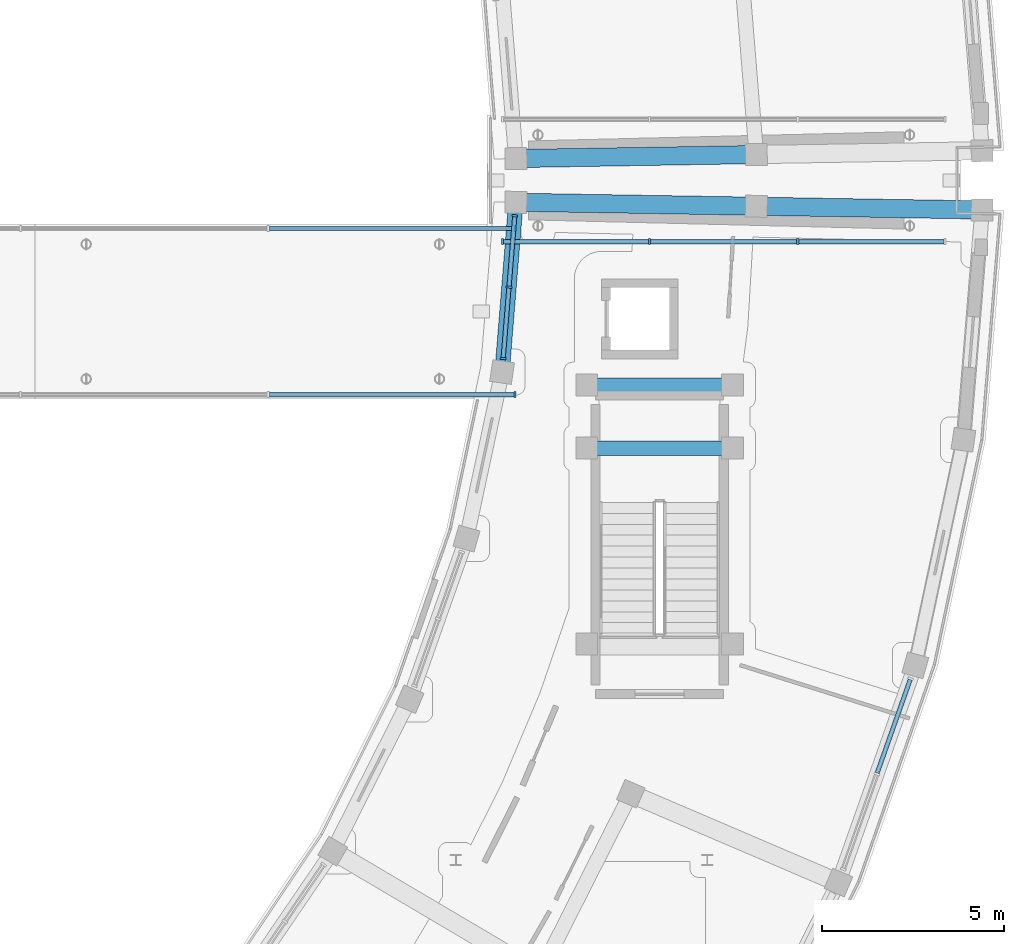
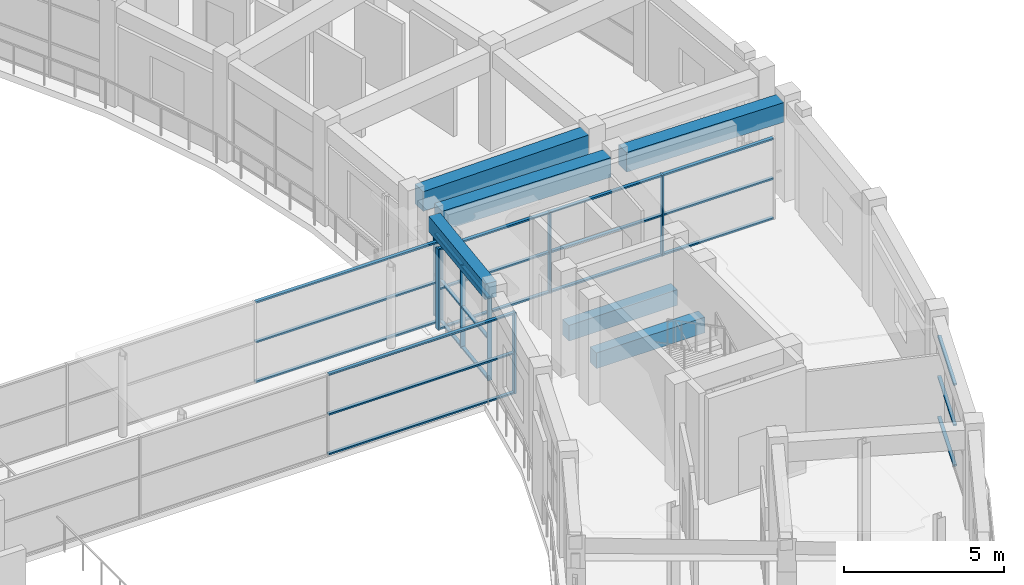
# One storey, part 19 of 53: 32 members, 6 beams, 5 elements without a shape of their own.
"""IFC4 building model written with IfcOpenShell, lengths in metres."""

from ifc_helpers import new_model, si_unit, direction, frame, origin, origin_2d, place, context, subcontext, project, spatial, rectangle, extrude, material, material_profile, profile_set, type_object, element, aggregate, save


model = new_model("IFC4")

# Units and contexts
model_context = context("Model", 3, precision=1e-05, world=origin(), true_north=direction((0.0, 1.0)))
body_context = subcontext(model_context, "Body", "Model", "MODEL_VIEW")
ifc_project = project(units=[si_unit("LENGTHUNIT", "METRE"), si_unit("AREAUNIT", "SQUARE_METRE"), si_unit("VOLUMEUNIT", "CUBIC_METRE"), si_unit("PLANEANGLEUNIT", "RADIAN"), si_unit("MASSUNIT", "GRAM", prefix="KILO")], contexts=[model_context])

# Site, building, storey
site_placement = place(None, origin())
site = spatial("IfcSite", under=ifc_project, at=site_placement, CompositionType="ELEMENT")
building_placement = place(site_placement, origin())
building = spatial("IfcBuilding", under=site, at=building_placement, Name="Saryqyr Civic Hall", CompositionType="ELEMENT")
storey_placement = place(building_placement, frame((0.0, 0.0, 21.300048828125)))
storey = spatial("IfcBuildingStorey", under=building, at=storey_placement, Name="L05", CompositionType="ELEMENT", Elevation=21.300048828125)

# Curtain wall, members
ifc_material_1 = material(Name="Anodised aluminium and triple low-E glass", Category="aluminium")
curtain_wall_type_1 = type_object("IfcCurtainWallType", Name="ENV-CW-STD-21", PredefinedType="NOTDEFINED", material=ifc_material_1)
curtain_wall_1_placement = place(storey_placement, origin())
curtain_wall_1 = element("IfcCurtainWall", 1, at=curtain_wall_1_placement, inside=storey, type_object=curtain_wall_type_1, Name="Curtain wall V5-CWI-L05-09", PredefinedType="NOTDEFINED")
ifc_material_2 = material(Name="Anodised aluminium", Category="aluminium")
ifc_material_profile_1 = material_profile(ifc_material_2, rectangle(XDim=0.06005859375, YDim=0.159912109375, at=origin_2d()), Name="ALU MULLION 60x160")
ifc_profile_set_1 = profile_set([ifc_material_profile_1], Name="Anodised aluminium")
member_type_1 = type_object("IfcMemberType", Name="ENV-CW-MUL-180", PredefinedType="MULLION", material=ifc_profile_set_1)
member_1_placement = place(storey_placement, frame((92.845947265625, 79.10986328125, 0.0), z_axis=(0.0, 0.0, 1.0), x_axis=(0.081090889978, 0.996706710905, 0.0)))
member_1 = element("IfcMember", 2, at=member_1_placement, type_object=member_type_1, Name="CW-21 mullion 1", PredefinedType="MULLION", context=body_context, shape_type="SweptSolid", body=[
    extrude(rectangle(XDim=0.06005859375, YDim=0.159912109375, at=origin_2d()), origin(), (0.0, 0.0, 1.0), 3.155029296875),
])
member_2_placement = place(storey_placement, frame((93.00537109375, 81.06982421875, 0.0), z_axis=(0.0, 0.0, 1.0), x_axis=(0.081090889978, 0.996706710905, 0.0)))
member_2 = element("IfcMember", 3, at=member_2_placement, type_object=member_type_1, Name="CW-21 mullion 2", PredefinedType="MULLION", context=body_context, shape_type="SweptSolid", body=[
    extrude(rectangle(XDim=0.06005859375, YDim=0.159912109375, at=origin_2d()), origin(), (0.0, 0.0, 1.0), 3.155029296875),
])
member_3_placement = place(storey_placement, frame((93.164794921875, 83.02978515625, 0.0), z_axis=(0.0, 0.0, 1.0), x_axis=(0.081090889978, 0.996706710905, 0.0)))
member_3 = element("IfcMember", 4, at=member_3_placement, type_object=member_type_1, Name="CW-21 mullion 3", PredefinedType="MULLION", context=body_context, shape_type="SweptSolid", body=[
    extrude(rectangle(XDim=0.06005859375, YDim=0.159912109375, at=origin_2d()), origin(), (0.0, 0.0, 1.0), 3.155029296875),
])

curtain_wall_type_2 = type_object("IfcCurtainWallType", Name="ENV-CW-STD-81", PredefinedType="NOTDEFINED", material=ifc_material_1)
curtain_wall_2_placement = place(storey_placement, origin())
curtain_wall_2 = element("IfcCurtainWall", 5, at=curtain_wall_2_placement, inside=storey, type_object=curtain_wall_type_2, Name="Curtain wall BR-E-CW1-L05", PredefinedType="NOTDEFINED")
member_4_placement = place(storey_placement, frame((100.933349609375, 82.320068359375, 0.0), z_axis=(0.0, 0.0, 1.0), x_axis=(-1.0, 0.0, 0.0)))
member_4 = element("IfcMember", 6, at=member_4_placement, type_object=member_type_1, Name="CW-81 mullion 2", PredefinedType="MULLION", context=body_context, shape_type="SweptSolid", body=[
    extrude(rectangle(XDim=0.06005859375, YDim=0.159912109375, at=origin_2d()), origin(), (0.0, 0.0, 1.0), 3.099853515625),
])
member_5_placement = place(storey_placement, frame((96.86669921875, 82.320068359375, 0.0), z_axis=(0.0, 0.0, 1.0), x_axis=(-1.0, 0.0, 0.0)))
member_5 = element("IfcMember", 7, at=member_5_placement, type_object=member_type_1, Name="CW-81 mullion 3", PredefinedType="MULLION", context=body_context, shape_type="SweptSolid", body=[
    extrude(rectangle(XDim=0.06005859375, YDim=0.159912109375, at=origin_2d()), origin(), (0.0, 0.0, 1.0), 3.099853515625),
])
member_6_placement = place(storey_placement, frame((92.830078125, 82.320068359375, 0.0), z_axis=(0.0, 0.0, 1.0), x_axis=(-1.0, 0.0, 0.0)))
member_6 = element("IfcMember", 8, at=member_6_placement, type_object=member_type_1, Name="CW-81 mullion 4", PredefinedType="MULLION", context=body_context, shape_type="SweptSolid", body=[
    extrude(rectangle(XDim=0.06005859375, YDim=0.159912109375, at=origin_2d()), origin(), (0.0, 0.0, 1.0), 3.099853515625),
])

# Curtain wall, member
curtain_wall_type_3 = type_object("IfcCurtainWallType", Name="ENV-CW-STD-87", PredefinedType="NOTDEFINED", material=ifc_material_1)
curtain_wall_3_placement = place(storey_placement, origin())
curtain_wall_3 = element("IfcCurtainWall", 9, at=curtain_wall_3_placement, inside=storey, type_object=curtain_wall_type_3, Name="Curtain wall BR-CE-CW1-L05", PredefinedType="NOTDEFINED")
member_7_placement = place(storey_placement, frame((93.169921875, 78.1201171875, 0.0), z_axis=(0.0, 0.0, 1.0), x_axis=(-1.0, 0.0, 0.0)))
member_7 = element("IfcMember", 10, at=member_7_placement, type_object=member_type_1, Name="CW-87 mullion 1", PredefinedType="MULLION", context=body_context, shape_type="SweptSolid", body=[
    extrude(rectangle(XDim=0.06005859375, YDim=0.159912109375, at=origin_2d()), origin(), (0.0, 0.0, 1.0), 3.099853515625),
])

curtain_wall_4_placement = place(storey_placement, origin())
curtain_wall_4 = element("IfcCurtainWall", 11, at=curtain_wall_4_placement, inside=storey, type_object=curtain_wall_type_3, Name="Curtain wall BR-CE-CW2-L05", PredefinedType="NOTDEFINED")
member_8_placement = place(storey_placement, frame((93.169921875, 82.679931640625, 0.0), z_axis=(0.0, 0.0, 1.0), x_axis=(1.0, 0.0, 0.0)))
member_8 = element("IfcMember", 12, at=member_8_placement, type_object=member_type_1, Name="CW-87 mullion 4", PredefinedType="MULLION", context=body_context, shape_type="SweptSolid", body=[
    extrude(rectangle(XDim=0.06005859375, YDim=0.159912109375, at=origin_2d()), origin(), (0.0, 0.0, 1.0), 3.099853515625),
])

# Curtain wall, members
curtain_wall_type_4 = type_object("IfcCurtainWallType", Name="ENV-CW-STD-40", PredefinedType="NOTDEFINED", material=ifc_material_1)
curtain_wall_5_placement = place(storey_placement, origin())
curtain_wall_5 = element("IfcCurtainWall", 13, at=curtain_wall_5_placement, inside=storey, type_object=curtain_wall_type_4, Name="Curtain wall V5-CWO-L05-07", PredefinedType="NOTDEFINED")
ifc_material_profile_2 = material_profile(ifc_material_2, rectangle(XDim=0.1201171875, YDim=0.06005859375, at=origin_2d()), Name="ALU TRANSOM 120x60")
ifc_profile_set_2 = profile_set([ifc_material_profile_2], Name="Anodised aluminium")
member_type_2 = type_object("IfcMemberType", Name="ENV-CW-TRN-150", PredefinedType="USERDEFINED", material=ifc_profile_set_2)
member_9_placement = place(storey_placement, frame((104.017822265625, 70.294677734375, 0.030029296875), z_axis=(-0.333154226884, -0.942872346137, 0.0), x_axis=(0.942872346137, -0.333154226884, 0.0)))
member_9 = element("IfcMember", 14, at=member_9_placement, type_object=member_type_2, Name="CW-40 transom 1.1", ObjectType="TRANSOM", PredefinedType="USERDEFINED", context=body_context, shape_type="SweptSolid", body=[
    extrude(rectangle(XDim=0.1201171875, YDim=0.06005859375, at=origin_2d()), origin(), (0.0, 0.0, 1.0), 2.713623046875),
])
member_10_placement = place(storey_placement, frame((104.017822265625, 70.294677734375, 1.577880859375), z_axis=(-0.333154226884, -0.942872346137, 0.0), x_axis=(0.942872346137, -0.333154226884, 0.0)))
member_10 = element("IfcMember", 15, at=member_10_placement, type_object=member_type_2, Name="CW-40 transom 1.2", ObjectType="TRANSOM", PredefinedType="USERDEFINED", context=body_context, shape_type="SweptSolid", body=[
    extrude(rectangle(XDim=0.1201171875, YDim=0.06005859375, at=origin_2d()), origin(), (0.0, 0.0, 1.0), 2.713623046875),
])
member_11_placement = place(storey_placement, frame((104.017822265625, 70.294677734375, 3.125), z_axis=(-0.333154226884, -0.942872346137, 0.0), x_axis=(0.942872346137, -0.333154226884, 0.0)))
member_11 = element("IfcMember", 16, at=member_11_placement, type_object=member_type_2, Name="CW-40 transom 1.3", ObjectType="TRANSOM", PredefinedType="USERDEFINED", context=body_context, shape_type="SweptSolid", body=[
    extrude(rectangle(XDim=0.1201171875, YDim=0.06005859375, at=origin_2d()), origin(), (0.0, 0.0, 1.0), 2.713623046875),
])
aggregate(curtain_wall_5, [member_9, member_10, member_11])

# Member
member_12_placement = place(storey_placement, frame((92.848388671875, 79.1396484375, 0.030029296875), z_axis=(0.081053095321, 0.996709785112, 0.0), x_axis=(-0.996709785112, 0.081053095321, 0.0)))
member_12 = element("IfcMember", 17, at=member_12_placement, type_object=member_type_2, Name="CW-21 transom 1.1", ObjectType="TRANSOM", PredefinedType="USERDEFINED", context=body_context, shape_type="SweptSolid", body=[
    extrude(rectangle(XDim=0.1201171875, YDim=0.06005859375, at=origin_2d()), origin(), (0.0, 0.0, 1.0), 1.90673828125),
])

member_13_placement = place(storey_placement, frame((92.848388671875, 79.1396484375, 1.577880859375), z_axis=(0.081053095321, 0.996709785112, 0.0), x_axis=(-0.996709785112, 0.081053095321, 0.0)))
member_13 = element("IfcMember", 18, at=member_13_placement, type_object=member_type_2, Name="CW-21 transom 1.2", ObjectType="TRANSOM", PredefinedType="USERDEFINED", context=body_context, shape_type="SweptSolid", body=[
    extrude(rectangle(XDim=0.1201171875, YDim=0.06005859375, at=origin_2d()), origin(), (0.0, 0.0, 1.0), 1.90673828125),
])

member_14_placement = place(storey_placement, frame((92.848388671875, 79.1396484375, 3.125), z_axis=(0.081053095321, 0.996709785112, 0.0), x_axis=(-0.996709785112, 0.081053095321, 0.0)))
member_14 = element("IfcMember", 19, at=member_14_placement, type_object=member_type_2, Name="CW-21 transom 1.3", ObjectType="TRANSOM", PredefinedType="USERDEFINED", context=body_context, shape_type="SweptSolid", body=[
    extrude(rectangle(XDim=0.1201171875, YDim=0.06005859375, at=origin_2d()), origin(), (0.0, 0.0, 1.0), 1.90673828125),
])

member_15_placement = place(storey_placement, frame((93.0078125, 81.099853515625, 0.030029296875), z_axis=(0.081063441011, 0.99670894374, 0.0), x_axis=(-0.99670894374, 0.081063441011, 0.0)))
member_15 = element("IfcMember", 20, at=member_15_placement, type_object=member_type_2, Name="CW-21 transom 2.1", ObjectType="TRANSOM", PredefinedType="USERDEFINED", context=body_context, shape_type="SweptSolid", body=[
    extrude(rectangle(XDim=0.1201171875, YDim=0.06005859375, at=origin_2d()), origin(), (0.0, 0.0, 1.0), 1.906494140625),
])

member_16_placement = place(storey_placement, frame((93.0078125, 81.099853515625, 1.577880859375), z_axis=(0.081063441011, 0.99670894374, 0.0), x_axis=(-0.99670894374, 0.081063441011, 0.0)))
member_16 = element("IfcMember", 21, at=member_16_placement, type_object=member_type_2, Name="CW-21 transom 2.2", ObjectType="TRANSOM", PredefinedType="USERDEFINED", context=body_context, shape_type="SweptSolid", body=[
    extrude(rectangle(XDim=0.1201171875, YDim=0.06005859375, at=origin_2d()), origin(), (0.0, 0.0, 1.0), 1.906494140625),
])

member_17_placement = place(storey_placement, frame((93.0078125, 81.099853515625, 3.125), z_axis=(0.081063441011, 0.99670894374, 0.0), x_axis=(-0.99670894374, 0.081063441011, 0.0)))
member_17 = element("IfcMember", 22, at=member_17_placement, type_object=member_type_2, Name="CW-21 transom 2.3", ObjectType="TRANSOM", PredefinedType="USERDEFINED", context=body_context, shape_type="SweptSolid", body=[
    extrude(rectangle(XDim=0.1201171875, YDim=0.06005859375, at=origin_2d()), origin(), (0.0, 0.0, 1.0), 1.906494140625),
])

aggregate(curtain_wall_1, [member_1, member_2, member_3, member_12, member_13, member_14, member_15, member_16, member_17])

member_18_placement = place(storey_placement, frame((104.93994140625, 82.320068359375, 0.030029296875), z_axis=(-1.0, 0.0, 0.0), x_axis=(0.0, -1.0, 0.0)))
member_18 = element("IfcMember", 23, at=member_18_placement, type_object=member_type_2, Name="CW-81 transom 1.1", ObjectType="TRANSOM", PredefinedType="USERDEFINED", context=body_context, shape_type="SweptSolid", body=[
    extrude(rectangle(XDim=0.1201171875, YDim=0.06005859375, at=origin_2d()), origin(), (0.0, 0.0, 1.0), 3.9765625),
])

member_19_placement = place(storey_placement, frame((104.93994140625, 82.320068359375, 1.550048828125), z_axis=(-1.0, 0.0, 0.0), x_axis=(0.0, -1.0, 0.0)))
member_19 = element("IfcMember", 24, at=member_19_placement, type_object=member_type_2, Name="CW-81 transom 1.2", ObjectType="TRANSOM", PredefinedType="USERDEFINED", context=body_context, shape_type="SweptSolid", body=[
    extrude(rectangle(XDim=0.1201171875, YDim=0.06005859375, at=origin_2d()), origin(), (0.0, 0.0, 1.0), 3.9765625),
])

member_20_placement = place(storey_placement, frame((104.93994140625, 82.320068359375, 3.070068359375), z_axis=(-1.0, 0.0, 0.0), x_axis=(0.0, -1.0, 0.0)))
member_20 = element("IfcMember", 25, at=member_20_placement, type_object=member_type_2, Name="CW-81 transom 1.3", ObjectType="TRANSOM", PredefinedType="USERDEFINED", context=body_context, shape_type="SweptSolid", body=[
    extrude(rectangle(XDim=0.1201171875, YDim=0.06005859375, at=origin_2d()), origin(), (0.0, 0.0, 1.0), 3.9765625),
])

member_21_placement = place(storey_placement, frame((100.9033203125, 82.320068359375, 0.030029296875), z_axis=(-1.0, 0.0, 0.0), x_axis=(0.0, -1.0, 0.0)))
member_21 = element("IfcMember", 26, at=member_21_placement, type_object=member_type_2, Name="CW-81 transom 2.1", ObjectType="TRANSOM", PredefinedType="USERDEFINED", context=body_context, shape_type="SweptSolid", body=[
    extrude(rectangle(XDim=0.1201171875, YDim=0.06005859375, at=origin_2d()), origin(), (0.0, 0.0, 1.0), 4.006591796875),
])

member_22_placement = place(storey_placement, frame((100.9033203125, 82.320068359375, 1.550048828125), z_axis=(-1.0, 0.0, 0.0), x_axis=(0.0, -1.0, 0.0)))
member_22 = element("IfcMember", 27, at=member_22_placement, type_object=member_type_2, Name="CW-81 transom 2.2", ObjectType="TRANSOM", PredefinedType="USERDEFINED", context=body_context, shape_type="SweptSolid", body=[
    extrude(rectangle(XDim=0.1201171875, YDim=0.06005859375, at=origin_2d()), origin(), (0.0, 0.0, 1.0), 4.006591796875),
])

member_23_placement = place(storey_placement, frame((100.9033203125, 82.320068359375, 3.070068359375), z_axis=(-1.0, 0.0, 0.0), x_axis=(0.0, -1.0, 0.0)))
member_23 = element("IfcMember", 28, at=member_23_placement, type_object=member_type_2, Name="CW-81 transom 2.3", ObjectType="TRANSOM", PredefinedType="USERDEFINED", context=body_context, shape_type="SweptSolid", body=[
    extrude(rectangle(XDim=0.1201171875, YDim=0.06005859375, at=origin_2d()), origin(), (0.0, 0.0, 1.0), 4.006591796875),
])

member_24_placement = place(storey_placement, frame((96.836669921875, 82.320068359375, 0.030029296875), z_axis=(-1.0, 0.0, 0.0), x_axis=(0.0, -1.0, 0.0)))
member_24 = element("IfcMember", 29, at=member_24_placement, type_object=member_type_2, Name="CW-81 transom 3.1", ObjectType="TRANSOM", PredefinedType="USERDEFINED", context=body_context, shape_type="SweptSolid", body=[
    extrude(rectangle(XDim=0.1201171875, YDim=0.06005859375, at=origin_2d()), origin(), (0.0, 0.0, 1.0), 3.9765625),
])

member_25_placement = place(storey_placement, frame((96.836669921875, 82.320068359375, 1.550048828125), z_axis=(-1.0, 0.0, 0.0), x_axis=(0.0, -1.0, 0.0)))
member_25 = element("IfcMember", 30, at=member_25_placement, type_object=member_type_2, Name="CW-81 transom 3.2", ObjectType="TRANSOM", PredefinedType="USERDEFINED", context=body_context, shape_type="SweptSolid", body=[
    extrude(rectangle(XDim=0.1201171875, YDim=0.06005859375, at=origin_2d()), origin(), (0.0, 0.0, 1.0), 3.9765625),
])

member_26_placement = place(storey_placement, frame((96.836669921875, 82.320068359375, 3.070068359375), z_axis=(-1.0, 0.0, 0.0), x_axis=(0.0, -1.0, 0.0)))
member_26 = element("IfcMember", 31, at=member_26_placement, type_object=member_type_2, Name="CW-81 transom 3.3", ObjectType="TRANSOM", PredefinedType="USERDEFINED", context=body_context, shape_type="SweptSolid", body=[
    extrude(rectangle(XDim=0.1201171875, YDim=0.06005859375, at=origin_2d()), origin(), (0.0, 0.0, 1.0), 3.9765625),
])

aggregate(curtain_wall_2, [member_4, member_5, member_6, member_18, member_19, member_20, member_21, member_22, member_23, member_24, member_25, member_26])

member_27_placement = place(storey_placement, frame((93.139892578125, 78.1201171875, 0.030029296875), z_axis=(-1.0, 0.0, 0.0), x_axis=(0.0, -1.0, 0.0)))
member_27 = element("IfcMember", 32, at=member_27_placement, type_object=member_type_2, Name="CW-87 transom 1.1", ObjectType="TRANSOM", PredefinedType="USERDEFINED", context=body_context, shape_type="SweptSolid", body=[
    extrude(rectangle(XDim=0.1201171875, YDim=0.06005859375, at=origin_2d()), origin(), (0.0, 0.0, 1.0), 6.7099609375),
])

member_28_placement = place(storey_placement, frame((93.139892578125, 78.1201171875, 1.550048828125), z_axis=(-1.0, 0.0, 0.0), x_axis=(0.0, -1.0, 0.0)))
member_28 = element("IfcMember", 33, at=member_28_placement, type_object=member_type_2, Name="CW-87 transom 1.2", ObjectType="TRANSOM", PredefinedType="USERDEFINED", context=body_context, shape_type="SweptSolid", body=[
    extrude(rectangle(XDim=0.1201171875, YDim=0.06005859375, at=origin_2d()), origin(), (0.0, 0.0, 1.0), 6.7099609375),
])

member_29_placement = place(storey_placement, frame((93.139892578125, 78.1201171875, 3.070068359375), z_axis=(-1.0, 0.0, 0.0), x_axis=(0.0, -1.0, 0.0)))
member_29 = element("IfcMember", 34, at=member_29_placement, type_object=member_type_2, Name="CW-87 transom 1.3", ObjectType="TRANSOM", PredefinedType="USERDEFINED", context=body_context, shape_type="SweptSolid", body=[
    extrude(rectangle(XDim=0.1201171875, YDim=0.06005859375, at=origin_2d()), origin(), (0.0, 0.0, 1.0), 6.7099609375),
])

aggregate(curtain_wall_3, [member_7, member_27, member_28, member_29])

member_30_placement = place(storey_placement, frame((86.429931640625, 82.679931640625, 0.030029296875), z_axis=(1.0, 0.0, 0.0), x_axis=(0.0, 1.0, 0.0)))
member_30 = element("IfcMember", 35, at=member_30_placement, type_object=member_type_2, Name="CW-87 transom 3.1", ObjectType="TRANSOM", PredefinedType="USERDEFINED", context=body_context, shape_type="SweptSolid", body=[
    extrude(rectangle(XDim=0.1201171875, YDim=0.06005859375, at=origin_2d()), origin(), (0.0, 0.0, 1.0), 6.7099609375),
])

member_31_placement = place(storey_placement, frame((86.429931640625, 82.679931640625, 1.550048828125), z_axis=(1.0, 0.0, 0.0), x_axis=(0.0, 1.0, 0.0)))
member_31 = element("IfcMember", 36, at=member_31_placement, type_object=member_type_2, Name="CW-87 transom 3.2", ObjectType="TRANSOM", PredefinedType="USERDEFINED", context=body_context, shape_type="SweptSolid", body=[
    extrude(rectangle(XDim=0.1201171875, YDim=0.06005859375, at=origin_2d()), origin(), (0.0, 0.0, 1.0), 6.7099609375),
])

member_32_placement = place(storey_placement, frame((86.429931640625, 82.679931640625, 3.070068359375), z_axis=(1.0, 0.0, 0.0), x_axis=(0.0, 1.0, 0.0)))
member_32 = element("IfcMember", 37, at=member_32_placement, type_object=member_type_2, Name="CW-87 transom 3.3", ObjectType="TRANSOM", PredefinedType="USERDEFINED", context=body_context, shape_type="SweptSolid", body=[
    extrude(rectangle(XDim=0.1201171875, YDim=0.06005859375, at=origin_2d()), origin(), (0.0, 0.0, 1.0), 6.7099609375),
])

aggregate(curtain_wall_4, [member_8, member_30, member_31, member_32])

# Beams
ifc_material_3 = material(Name="Concrete C35/45", Category="concrete")
ifc_material_profile_3 = material_profile(ifc_material_3, rectangle(XDim=0.39990234375, YDim=0.60009765625, at=origin_2d()), Name="RC 400x600")
ifc_profile_set_3 = profile_set([ifc_material_profile_3], Name="Concrete C35/45")
beam_type_1 = type_object("IfcBeamType", Name="STR-BM-RC400x600", PredefinedType="BEAM", material=ifc_profile_set_3)
for number, where, z_axis, x_axis, name in (
    (38, (99.10009765625, 76.64990234375, 1.52490234375), (-1.0, 0.0, 0.0), (0.0, -1.0, 0.0), "Stair half-landing support beam ST-5-LND1-L05"),
    (39, (99.10009765625, 78.3798828125, 1.52490234375), (-1.0, 0.0, 0.0), (0.0, -1.0, 0.0), "Stair half-landing support beam ST-5-LND2-L05"),
):
    element("IfcBeam", number, at=place(storey_placement, frame(where, z_axis=z_axis, x_axis=x_axis)), inside=storey, type_object=beam_type_1, Name=name, PredefinedType="BEAM", context=body_context, shape_type="SweptSolid", body=[
        extrude(rectangle(XDim=0.39990234375, YDim=0.60009765625, at=origin_2d()), origin(), (0.0, 0.0, 1.0), 3.920166015625),
    ])
ifc_material_profile_4 = material_profile(ifc_material_3, rectangle(XDim=0.39990234375, YDim=0.60009765625, at=origin_2d()), Name="RC 400x600")
ifc_profile_set_4 = profile_set([ifc_material_profile_4], Name="Concrete C35/45")
beam_type_2 = type_object("IfcBeamType", Name="STR-BM-RC400x600-EXT", PredefinedType="BEAM", material=ifc_profile_set_4)
beam_1_placement = place(storey_placement, frame((92.838134765625, 79.013916015625, 3.47998046875), z_axis=(0.081076463708, 0.996707884504, 0.0), x_axis=(-0.996707884504, 0.081076463708, 0.0)))
element("IfcBeam", 40, at=beam_1_placement, inside=storey, type_object=beam_type_2, Name="Beam V5-CBM-IN09-L05", PredefinedType="BEAM", context=body_context, shape_type="SweptSolid", body=[
    extrude(rectangle(XDim=0.39990234375, YDim=0.60009765625, at=origin_2d()), origin(), (0.0, 0.0, 1.0), 4.12548828125),
])
ifc_material_4 = material(Name="Concrete C40/50", Category="concrete")
ifc_material_profile_5 = material_profile(ifc_material_4, rectangle(XDim=0.5, YDim=0.75, at=origin_2d()), Name="RC 500x750")
ifc_profile_set_5 = profile_set([ifc_material_profile_5], Name="Concrete C40/50")
beam_type_3 = type_object("IfcBeamType", Name="STR-BM-RC500x750", PredefinedType="BEAM", material=ifc_profile_set_5)
beam_2_placement = place(storey_placement, frame((93.469970703125, 83.395263671875, 3.405029296875), z_axis=(0.9998624481, -0.016585682939, 0.0), x_axis=(0.016585682939, 0.9998624481, 0.0)))
element("IfcBeam", 41, at=beam_2_placement, inside=storey, type_object=beam_type_3, Name="Beam V5-RBM-A10-L05", PredefinedType="BEAM", context=body_context, shape_type="SweptSolid", body=[
    extrude(rectangle(XDim=0.5, YDim=0.75, at=origin_2d()), origin(), (0.0, 0.0, 1.0), 6.0498046875),
])
beam_3_placement = place(storey_placement, frame((100.069091796875, 83.285888671875, 3.405029296875), z_axis=(0.999862325475, -0.016593073728, 0.0), x_axis=(0.016593073728, 0.999862325475, 0.0)))
element("IfcBeam", 42, at=beam_3_placement, inside=storey, type_object=beam_type_3, Name="Beam V5-RBM-B10-L05", PredefinedType="BEAM", context=body_context, shape_type="SweptSolid", body=[
    extrude(rectangle(XDim=0.5, YDim=0.75, at=origin_2d()), origin(), (0.0, 0.0, 1.0), 5.64990234375),
])
beam_4_placement = place(storey_placement, frame((93.469970703125, 84.604736328125, 3.4150390625), z_axis=(0.9998624481, 0.016585682939, 0.0), x_axis=(-0.016585682939, 0.9998624481, 0.0)))
element("IfcBeam", 43, at=beam_4_placement, inside=storey, type_object=beam_type_3, Name="Beam V6-RBM-A00-L05", PredefinedType="BEAM", context=body_context, shape_type="SweptSolid", body=[
    extrude(rectangle(XDim=0.5, YDim=0.75, at=origin_2d()), origin(), (0.0, 0.0, 1.0), 6.0498046875),
])

save(model, "model.ifc")
